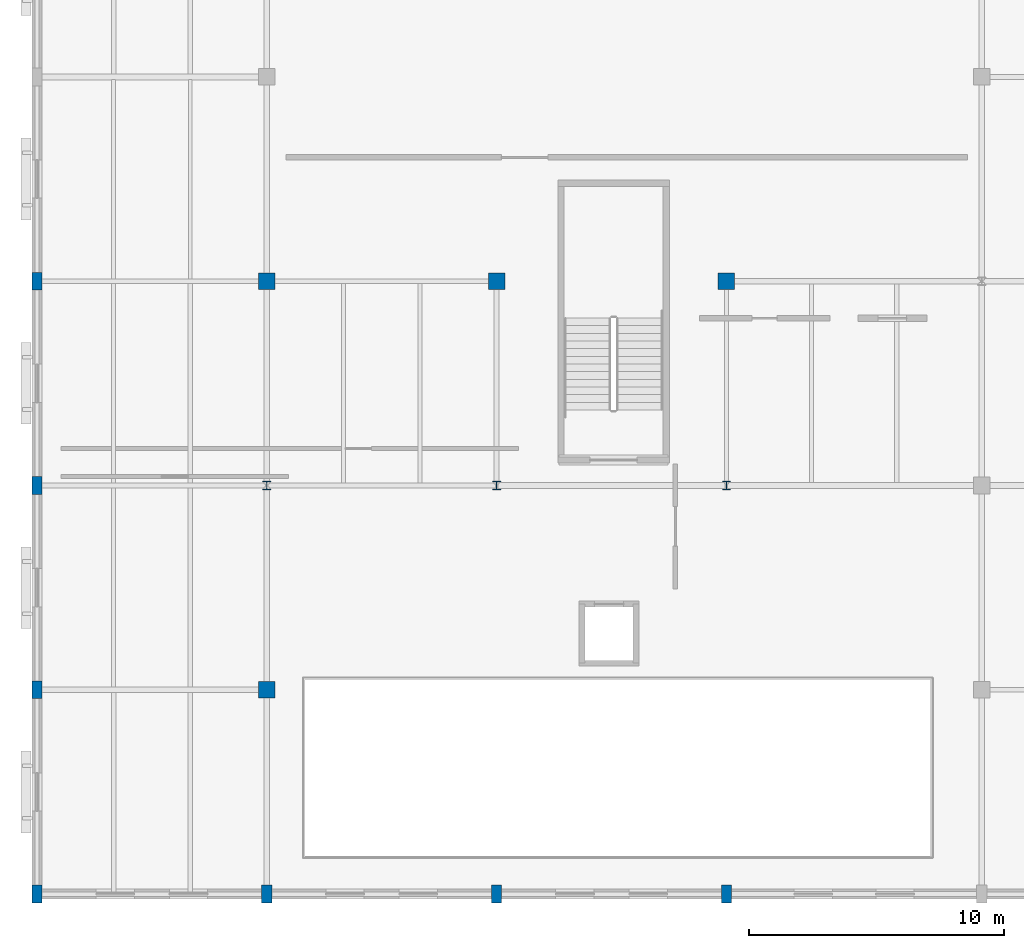
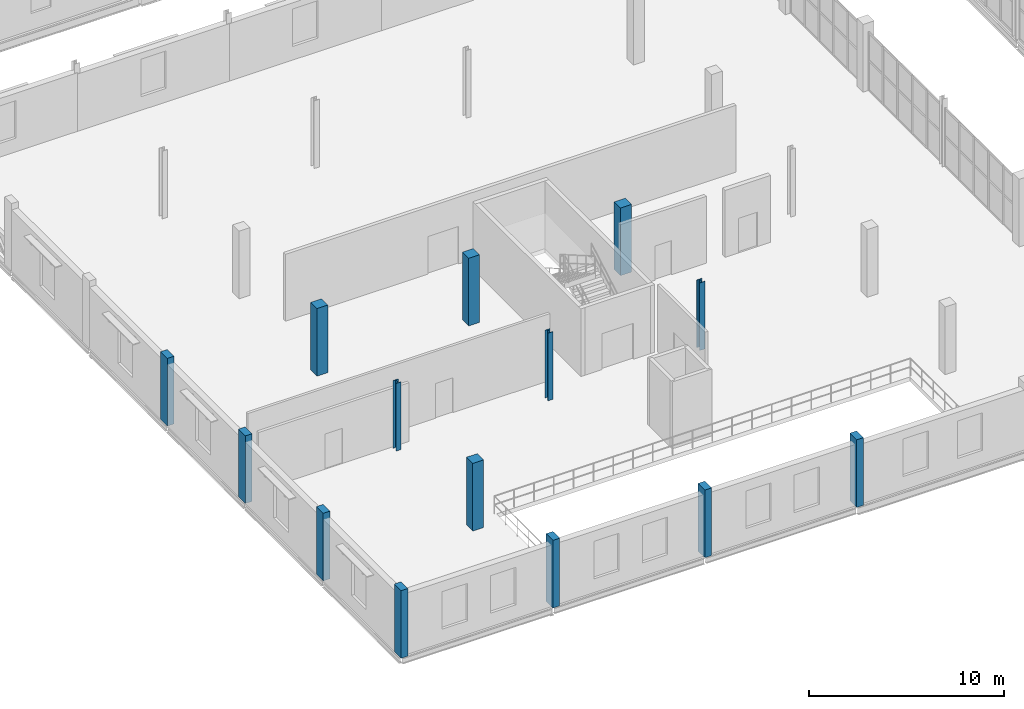
# One storey, part 1 of 85: 14 columns.
"""IFC4 building model written with IfcOpenShell, lengths in metres."""

from ifc_helpers import new_model, si_unit, direction, frame, origin, origin_2d, place, context, subcontext, project, spatial, rectangle, i_section, extrude, material, material_profile, profile_set, type_object, element, save


model = new_model("IFC4")

# Units and contexts
model_context = context("Model", 3, precision=1e-05, world=origin(), true_north=direction((0.0, 1.0)))
body_context = subcontext(model_context, "Body", "Model", "MODEL_VIEW")
ifc_project = project(units=[si_unit("LENGTHUNIT", "METRE"), si_unit("AREAUNIT", "SQUARE_METRE"), si_unit("VOLUMEUNIT", "CUBIC_METRE"), si_unit("PLANEANGLEUNIT", "RADIAN"), si_unit("MASSUNIT", "GRAM", prefix="KILO")], contexts=[model_context])

# Site, building, storey
site_placement = place(None, origin())
site = spatial("IfcSite", under=ifc_project, at=site_placement, CompositionType="ELEMENT")
building_placement = place(site_placement, origin())
building = spatial("IfcBuilding", under=site, at=building_placement, Name="Marnock Terrace Opera House", CompositionType="ELEMENT")
storey_placement = place(building_placement, frame((0.0, 0.0, 10.199951171875)))
storey = spatial("IfcBuildingStorey", under=building, at=storey_placement, Name="L02", CompositionType="ELEMENT", Elevation=10.199951171875)

# Columns
ifc_material_1 = material(Name="Concrete N40 (f'c = 40 MPa)", Category="concrete")
ifc_material_profile_1 = material_profile(ifc_material_1, rectangle(XDim=0.39990234375, YDim=0.699951171875, at=origin_2d()))
ifc_profile_set_1 = profile_set([ifc_material_profile_1], Name="Concrete N40 (f'c = 40 MPa)")
column_type_1 = type_object("IfcColumnType", Name="COL-PIL-700", PredefinedType="PILASTER", material=ifc_profile_set_1)
for number, where, z_axis, x_axis, name in (
    (1, (0.0, 8.0, 0.0), (0.0, 0.0, 1.0), (1.0, 0.0, 0.0), "L02 column at (0.0, 8.0)"),
    (2, (0.0, 16.0, 0.0), (0.0, 0.0, 1.0), (1.0, 0.0, 0.0), "L02 column at (0.0, 16.0)"),
    (3, (0.0, 24.0, 0.0), (0.0, 0.0, 1.0), (1.0, 0.0, 0.0), "L02 column at (0.0, 24.0)"),
    (4, (0.0, 32.0, 0.0), (0.0, 0.0, 1.0), (1.0, 0.0, 0.0), "L02 column at (0.0, 32.0)"),
    (5, (9.0, 8.0, 0.0), (0.0, 0.0, 1.0), (1.0, 0.0, 0.0), "L02 column at (9.0, 8.0)"),
    (6, (18.0, 8.0, 0.0), (0.0, 0.0, 1.0), (1.0, 0.0, 0.0), "L02 column at (18.0, 8.0)"),
    (7, (27.0, 8.0, 0.0), (0.0, 0.0, 1.0), (1.0, 0.0, 0.0), "L02 column at (27.0, 8.0)"),
):
    element("IfcColumn", number, at=place(storey_placement, frame(where, z_axis=z_axis, x_axis=x_axis)), inside=storey, type_object=column_type_1, Name=name, PredefinedType="PILASTER", context=body_context, shape_type="SweptSolid", body=[
        extrude(rectangle(XDim=0.39990234375, YDim=0.699951171875, at=origin_2d()), origin(), (0.0, 0.0, 1.0), 4.239990234375),
    ])
ifc_material_profile_2 = material_profile(ifc_material_1, rectangle(XDim=0.64990234375, YDim=0.64990234375, at=origin_2d()))
ifc_profile_set_2 = profile_set([ifc_material_profile_2], Name="Concrete N40 (f'c = 40 MPa)")
column_type_2 = type_object("IfcColumnType", Name="COL-RC650", PredefinedType="COLUMN", material=ifc_profile_set_2)
for number, where, z_axis, x_axis, name in (
    (8, (9.0, 16.0, 0.0), (0.0, 0.0, 1.0), (1.0, 0.0, 0.0), "L02 column at (9.0, 16.0)"),
    (9, (9.0, 32.0, 0.0), (0.0, 0.0, 1.0), (1.0, 0.0, 0.0), "L02 column at (9.0, 32.0)"),
    (10, (18.0, 32.0, 0.0), (0.0, 0.0, 1.0), (1.0, 0.0, 0.0), "L02 column at (18.0, 32.0)"),
    (11, (27.0, 32.0, 0.0), (0.0, 0.0, 1.0), (1.0, 0.0, 0.0), "L02 column at (27.0, 32.0)"),
):
    element("IfcColumn", number, at=place(storey_placement, frame(where, z_axis=z_axis, x_axis=x_axis)), inside=storey, type_object=column_type_2, Name=name, PredefinedType="COLUMN", context=body_context, shape_type="SweptSolid", body=[
        extrude(rectangle(XDim=0.64990234375, YDim=0.64990234375, at=origin_2d()), origin(), (0.0, 0.0, 1.0), 4.239990234375),
    ])
ifc_material_2 = material(Name="Steel Grade 350 (AS/NZS 3679.1)", Category="steel")
ifc_material_profile_3 = material_profile(ifc_material_2, i_section(OverallWidth=0.306884765625, OverallDepth=0.314697265625, WebThickness=0.011962890625, FlangeThickness=0.018798828125, FilletRadius=0.0166015625, at=origin_2d()))
ifc_profile_set_3 = profile_set([ifc_material_profile_3], Name="Steel Grade 350 (AS/NZS 3679.1)")
column_type_3 = type_object("IfcColumnType", Name="COL-UC310C", PredefinedType="COLUMN", material=ifc_profile_set_3)
for number, where, z_axis, x_axis, name in (
    (12, (9.0, 24.0, 0.0), (0.0, 0.0, 1.0), (1.0, 0.0, 0.0), "L02 column at (9.0, 24.0)"),
    (13, (18.0, 24.0, 0.0), (0.0, 0.0, 1.0), (1.0, 0.0, 0.0), "L02 column at (18.0, 24.0)"),
    (14, (27.0, 24.0, 0.0), (0.0, 0.0, 1.0), (1.0, 0.0, 0.0), "L02 column at (27.0, 24.0)"),
):
    element("IfcColumn", number, at=place(storey_placement, frame(where, z_axis=z_axis, x_axis=x_axis)), inside=storey, type_object=column_type_3, Name=name, PredefinedType="COLUMN", context=body_context, shape_type="SweptSolid", body=[
        extrude(i_section(OverallWidth=0.306884765625, OverallDepth=0.314697265625, WebThickness=0.011962890625, FlangeThickness=0.018798828125, FilletRadius=0.0166015625, at=origin_2d()), origin(), (0.0, 0.0, 1.0), 4.239990234375),
    ])

save(model, "model.ifc")
